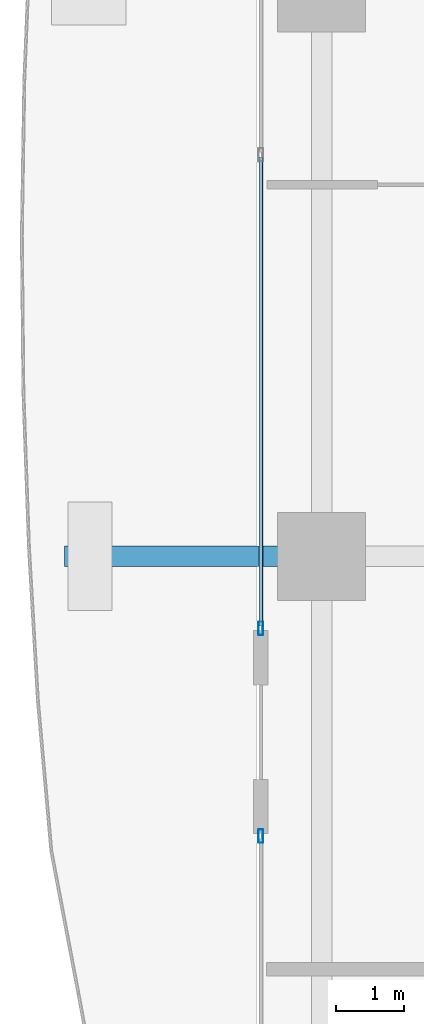
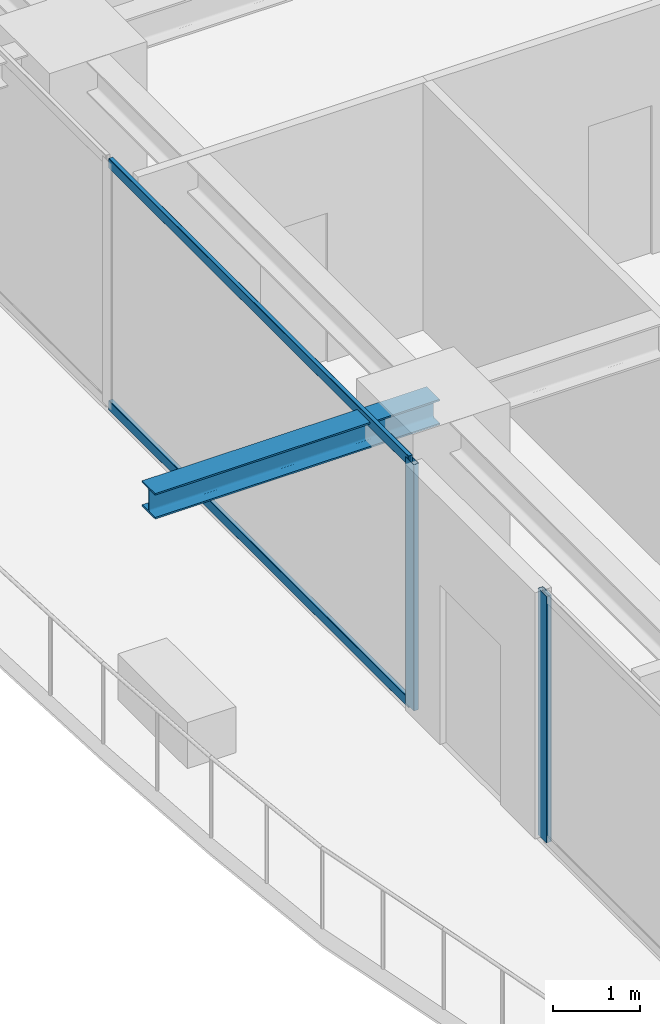
# One storey, part 8 of 37: 4 members, 1 beam, 2 elements without a shape of their own.
"""IFC4 building model written with IfcOpenShell, lengths in metres."""

from ifc_helpers import new_model, si_unit, direction, frame, origin, origin_2d, place, context, subcontext, project, spatial, hollow_rectangle, i_section, extrude, source, transform, mapped, material, layer, layer_set, material_profile, profile_set, type_object, element, aggregate, save


model = new_model("IFC4")

# Units and contexts
model_context = context("Model", 3, precision=1e-05, world=origin(), true_north=direction((0.0, 1.0)))
body_context = subcontext(model_context, "Body", "Model", "MODEL_VIEW")
ifc_project = project(units=[si_unit("LENGTHUNIT", "METRE"), si_unit("AREAUNIT", "SQUARE_METRE"), si_unit("VOLUMEUNIT", "CUBIC_METRE"), si_unit("PLANEANGLEUNIT", "RADIAN"), si_unit("MASSUNIT", "GRAM", prefix="KILO")], contexts=[model_context])

# Site, building, storey
site_placement = place(None, origin())
site = spatial("IfcSite", under=ifc_project, at=site_placement, CompositionType="ELEMENT")
building_placement = place(site_placement, origin())
building = spatial("IfcBuilding", under=site, at=building_placement, Name="Serunith Strait Residences", CompositionType="ELEMENT")
storey_placement = place(building_placement, frame((0.0, 0.0, 138.89990234375)))
storey = spatial("IfcBuildingStorey", under=building, at=storey_placement, Name="L34", CompositionType="ELEMENT", Elevation=138.89990234375)

# Beam
ifc_material_1 = material(Name="Steel S355J2", Category="steel")
ifc_material_profile_1 = material_profile(ifc_material_1, i_section(OverallWidth=0.300048828125, OverallDepth=0.360107421875, WebThickness=0.012451171875, FlangeThickness=0.0224609375, FilletRadius=0.027099609375, at=origin_2d()), Name="HEB 360")
ifc_profile_set_1 = profile_set([ifc_material_profile_1], Name="Steel S355J2")
beam_type = type_object("IfcBeamType", Name="BM-HEB360", PredefinedType="BEAM", material=ifc_profile_set_1)
shared_shape_1 = source(origin(), body_context, "Body", "SweptSolid", [
    extrude(i_section(OverallWidth=0.300048828125, OverallDepth=0.360107421875, WebThickness=0.012451171875, FlangeThickness=0.0224609375, FilletRadius=0.027099609375, at=origin_2d()), origin(), (0.0, 0.0, 1.0), 3.800048828125),
])
beam_placement = place(storey_placement, frame((8.699951171875, 21.0, 3.277099609375), z_axis=(-1.0, 0.0, 0.0), x_axis=(0.0, -1.0, 0.0)))
element("IfcBeam", 1, at=beam_placement, inside=storey, type_object=beam_type, Name="L35 Cantilevered Balcony Rib TC-W2", PredefinedType="BEAM", context=body_context, shape_type="MappedRepresentation", body=[
    mapped(shared_shape_1, transform((0.0, 0.0, 0.0), scale=1.0)),
])

# Curtain wall, member
ifc_material_2 = material(Name="Pale-Champagne Anodised Aluminium", Category="aluminium")
ifc_layer = layer(ifc_material_2, 0.199951171875, Name="Pale-Champagne Anodised Aluminium")
ifc_layer_set = layer_set([ifc_layer], Name="Pale-Champagne Anodised Aluminium")
curtain_wall_type = type_object("IfcCurtainWallType", Name="CW-SYS2", PredefinedType="NOTDEFINED", material=ifc_layer_set)
curtain_wall_1_placement = place(storey_placement, origin())
curtain_wall_1 = element("IfcCurtainWall", 2, at=curtain_wall_1_placement, inside=storey, type_object=curtain_wall_type, Name="L34 W Unitised Fritted Curtain Wall", PredefinedType="NOTDEFINED")
ifc_material_profile_2 = material_profile(ifc_material_2, hollow_rectangle(XDim=0.070068359375, YDim=0.199951171875, WallThickness=0.00390625, InnerFilletRadius=0.006103515625, OuterFilletRadius=0.010009765625, at=origin_2d()), Name="ALU 200x70x4")
ifc_profile_set_2 = profile_set([ifc_material_profile_2], Name="Pale-Champagne Anodised Aluminium")
member_type_1 = type_object("IfcMemberType", Name="CW-SYS2-MULL", PredefinedType="MULLION", material=ifc_profile_set_2)
shared_shape_2 = source(origin(), body_context, "Body", "SweptSolid", [
    extrude(hollow_rectangle(XDim=0.070068359375, YDim=0.199951171875, WallThickness=0.00390625, InnerFilletRadius=0.006103515625, OuterFilletRadius=0.010009765625, at=origin_2d()), origin(), (0.0, 0.0, 1.0), 3.47509765625),
])
member_1_placement = place(storey_placement, frame((7.800048828125, 19.93505859375, 0.0), z_axis=(0.0, 0.0, 1.0), x_axis=(1.0, 0.0, 0.0)))
member_1 = element("IfcMember", 3, at=member_1_placement, type_object=member_type_1, Name="CW-2 mullion 4", PredefinedType="MULLION", context=body_context, shape_type="MappedRepresentation", body=[
    mapped(shared_shape_2, transform((0.0, 0.0, 0.0), scale=1.0)),
])

curtain_wall_2_placement = place(storey_placement, origin())
curtain_wall_2 = element("IfcCurtainWall", 4, at=curtain_wall_2_placement, inside=storey, type_object=curtain_wall_type, Name="L34 W Unitised Fritted Curtain Wall", PredefinedType="NOTDEFINED")
member_2_placement = place(storey_placement, frame((7.800048828125, 16.864990234375, 0.0), z_axis=(0.0, 0.0, 1.0), x_axis=(1.0, 0.0, 0.0)))
member_2 = element("IfcMember", 5, at=member_2_placement, type_object=member_type_1, Name="CW-2 mullion 1", PredefinedType="MULLION", context=body_context, shape_type="MappedRepresentation", body=[
    mapped(shared_shape_2, transform((0.0, 0.0, 0.0), scale=1.0)),
])
aggregate(curtain_wall_2, [member_2])

# Member
ifc_material_profile_3 = material_profile(ifc_material_2, hollow_rectangle(XDim=0.06005859375, YDim=0.139892578125, WallThickness=0.00341796875, InnerFilletRadius=0.00537109375, OuterFilletRadius=0.0087890625, at=origin_2d()), Name="ALU 140x60x3.5")
ifc_profile_set_3 = profile_set([ifc_material_profile_3], Name="Pale-Champagne Anodised Aluminium")
member_type_2 = type_object("IfcMemberType", Name="CW-SYS2-TRAN", PredefinedType="USERDEFINED", material=ifc_profile_set_3)
shared_shape_3 = source(origin(), body_context, "Body", "SweptSolid", [
    extrude(hollow_rectangle(XDim=0.06005859375, YDim=0.139892578125, WallThickness=0.00341796875, InnerFilletRadius=0.00537109375, OuterFilletRadius=0.0087890625, at=origin_2d()), origin(), (0.0, 0.0, 1.0), 6.928466796875),
])
member_3_placement = place(storey_placement, frame((7.800048828125, 26.8984375, 0.030029296875), z_axis=(0.0, -1.0, 0.0), x_axis=(1.0, 0.0, 0.0)))
member_3 = element("IfcMember", 6, at=member_3_placement, type_object=member_type_2, Name="CW-2 transom 3.1", ObjectType="TRANSOM", PredefinedType="USERDEFINED", context=body_context, shape_type="MappedRepresentation", body=[
    mapped(shared_shape_3, transform((0.0, 0.0, 0.0), scale=1.0)),
])

member_4_placement = place(storey_placement, frame((7.800048828125, 26.8984375, 3.445068359375), z_axis=(0.0, -1.0, 0.0), x_axis=(1.0, 0.0, 0.0)))
member_4 = element("IfcMember", 7, at=member_4_placement, type_object=member_type_2, Name="CW-2 transom 3.2", ObjectType="TRANSOM", PredefinedType="USERDEFINED", context=body_context, shape_type="MappedRepresentation", body=[
    mapped(shared_shape_3, transform((0.0, 0.0, 0.0), scale=1.0)),
])

aggregate(curtain_wall_1, [member_1, member_3, member_4])

save(model, "model.ifc")
